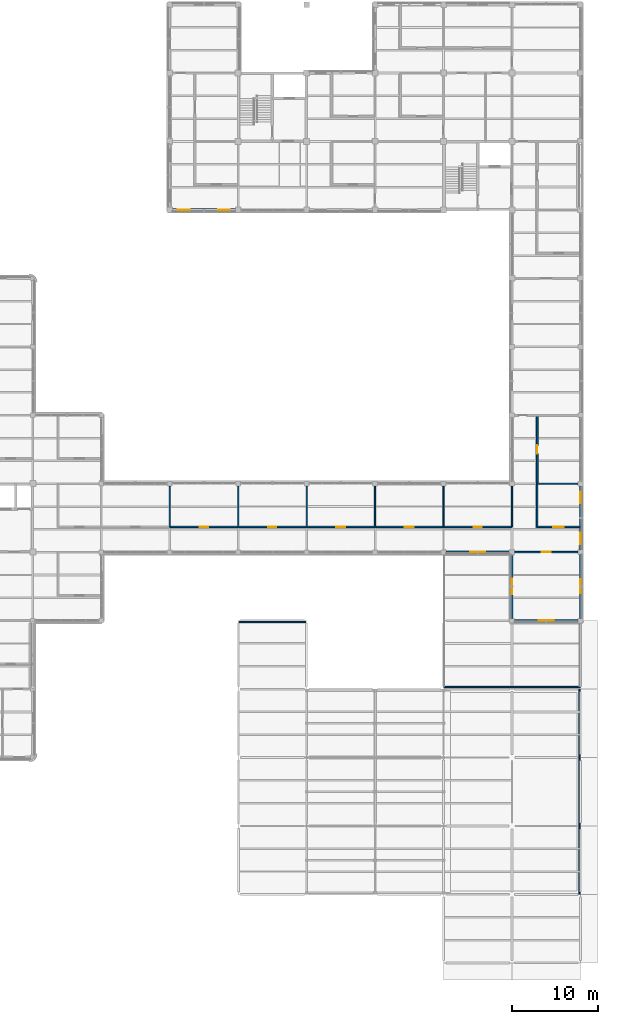
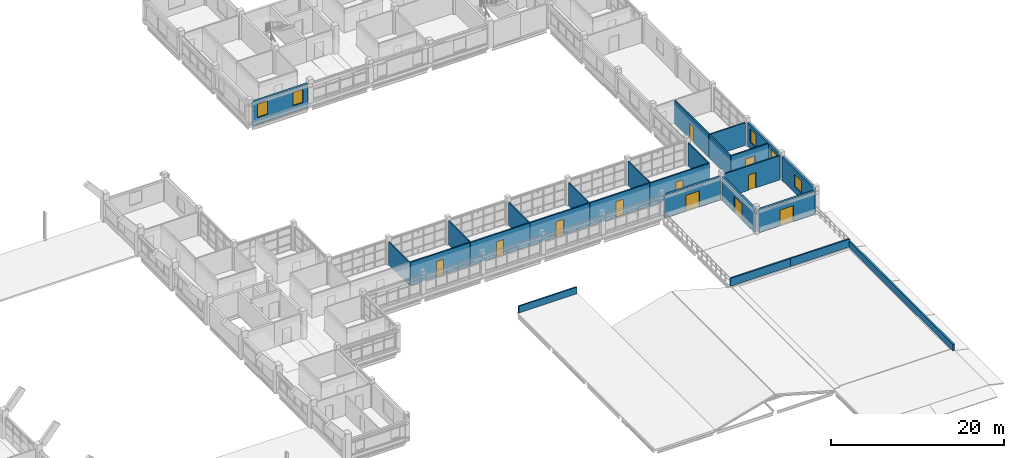
# One storey, part 72 of 92: 26 walls, 11 doors, 5 windows, 16 openings.
"""IFC4 building model written with IfcOpenShell, lengths in metres."""

import ifcopenshell
import ifcopenshell.guid

model = None  # the IFC model being written
_history = None  # IfcOwnerHistory: only IFC2X3 demands one
_inside = {}  # id of a spatial element -> (the spatial element, [elements in it])
_under = {}  # id of a project, library or spatial element -> (it, [spatial elements below it])
_declared = {}  # id of a project -> (the project, [libraries it declares])
_typed = {}  # id of a type object -> (the type object, [elements of that type])
_made_of = {}  # id of a material, layer set ... -> (it, [elements and type objects made of it])


def new_model(schema):
    """Start an empty IFC model of exactly this schema.

    Asked for "IFC4X3", IfcOpenShell would pick the latest addendum, in which some entities
    have other attributes; the version numbers below select the first issue.
    IFC2X3 requires an IfcOwnerHistory on every rooted entity: one is made here for all.
    """
    global model, _history
    if schema == "IFC4X3":
        model = ifcopenshell.file(schema_version=(4, 3, 0, 0))
    else:
        model = ifcopenshell.file(schema=schema)
    _inside.clear()
    _under.clear()
    _declared.clear()
    _typed.clear()
    _made_of.clear()
    _history = None
    if model.schema == "IFC2X3":
        org = make("IfcOrganization", Name="unknown")
        user = make(
            "IfcPersonAndOrganization",
            ThePerson=make("IfcPerson", FamilyName="unknown"),
            TheOrganization=org,
        )
        app = make(
            "IfcApplication",
            ApplicationDeveloper=org,
            Version="unknown",
            ApplicationFullName="unknown",
            ApplicationIdentifier="unknown",
        )
        _history = make(
            "IfcOwnerHistory",
            OwningUser=user,
            OwningApplication=app,
            ChangeAction="ADDED",
            CreationDate=0,
        )
    return model


def make(cls, **values):
    """One entity of the class cls with the attributes given. An attribute that is None is left unset."""
    return model.create_entity(
        cls, **{name: value for name, value in values.items() if value is not None}
    )


def rooted(cls, **values):
    """An entity with a GlobalId (a new one), such as an element, a storey or a relation."""
    return make(cls, GlobalId=ifcopenshell.guid.new(), OwnerHistory=_history, **values)


def si_unit(unit_type, name, prefix=None):
    """IfcSIUnit, for example si_unit("LENGTHUNIT", "METRE", prefix="MILLI")."""
    return make("IfcSIUnit", UnitType=unit_type, Prefix=prefix, Name=name)


def derived_unit(unit_type, elements):
    """IfcDerivedUnit: a product of units, each with its exponent."""
    return make(
        "IfcDerivedUnit",
        Elements=[
            make("IfcDerivedUnitElement", Unit=unit, Exponent=power)
            for unit, power in elements
        ],
        UnitType=unit_type,
    )


def assignment(units):
    """IfcUnitAssignment: the units of a project."""
    return None if units is None else make("IfcUnitAssignment", Units=units)


def point(xyz):
    """IfcCartesianPoint."""
    return None if xyz is None else make("IfcCartesianPoint", Coordinates=xyz)


def direction(xyz):
    """IfcDirection."""
    return None if xyz is None else make("IfcDirection", DirectionRatios=xyz)


def frame(location, z_axis=None, x_axis=None):
    """IfcAxis2Placement3D, a coordinate frame: its origin and axes. An axis left out is left unset."""
    return make(
        "IfcAxis2Placement3D",
        Location=point(location),
        Axis=direction(z_axis),
        RefDirection=direction(x_axis),
    )


def frame_2d(location, x_axis=None):
    """IfcAxis2Placement2D, a coordinate frame in the plane: its origin and x axis."""
    return make(
        "IfcAxis2Placement2D", Location=point(location), RefDirection=direction(x_axis)
    )


def origin():
    """The frame at (0, 0, 0) with its axes left unset."""
    return frame((0.0, 0.0, 0.0))


def place(relative_to, where):
    """IfcLocalPlacement: puts the frame where relative to a parent placement (None: the world)."""
    return make(
        "IfcLocalPlacement", PlacementRelTo=relative_to, RelativePlacement=where
    )


def context(
    kind, dimensions, precision=None, world=None, true_north=None, identifier=None
):
    """IfcGeometricRepresentationContext, for example the 3D "Model" context."""
    return make(
        "IfcGeometricRepresentationContext",
        ContextIdentifier=identifier,
        ContextType=kind,
        CoordinateSpaceDimension=dimensions,
        Precision=precision,
        WorldCoordinateSystem=world,
        TrueNorth=true_north,
    )


def subcontext(parent, identifier, kind, view, scale=None):
    """IfcGeometricRepresentationSubContext, for example "Body" below "Model"."""
    return make(
        "IfcGeometricRepresentationSubContext",
        ContextIdentifier=identifier,
        ContextType=kind,
        ParentContext=parent,
        TargetScale=scale,
        TargetView=view,
    )


def project(units=None, contexts=None):
    """IfcProject with its units and contexts."""
    return rooted(
        "IfcProject",
        Name="project",
        RepresentationContexts=contexts,
        UnitsInContext=assignment(units),
    )


def spatial(cls, under=None, at=None, **own):
    """A site, building, storey or space (cls), placed at a placement, below another one or the project."""
    s = rooted(cls, ObjectPlacement=at, **own)
    if under is not None:
        _under.setdefault(under.id(), (under, []))[1].append(s)
    return s


def profile(cls, at=None, kind="AREA", **sizes):
    """A parametric profile (cls). Its sizes go by their IFC names, for example OverallWidth=200.0."""
    return make(cls, ProfileType=kind, Position=at, **sizes)


def rectangle(**sizes):
    """IfcRectangleProfileDef."""
    return profile("IfcRectangleProfileDef", **sizes)


def extrude(swept, where, along, depth):
    """IfcExtrudedAreaSolid: the profile swept, set in the frame where, extruded along a direction by depth."""
    return make(
        "IfcExtrudedAreaSolid",
        SweptArea=swept,
        Position=where,
        ExtrudedDirection=direction(along),
        Depth=depth,
    )


def shape(context_of_items, identifier, shape_type, items):
    """IfcShapeRepresentation: the items that make up one representation, for example the "Body"."""
    return make(
        "IfcShapeRepresentation",
        ContextOfItems=context_of_items,
        RepresentationIdentifier=identifier,
        RepresentationType=shape_type,
        Items=items,
    )


def material(Name=None, Category=None):
    """IfcMaterial."""
    return make("IfcMaterial", Name=Name, Category=Category)


def layer(
    of_material, thickness, ventilated=None, Name=None, Category=None, Priority=None
):
    """IfcMaterialLayer: one layer of a wall or slab, of a material (None: an air gap)."""
    return make(
        "IfcMaterialLayer",
        Material=of_material,
        LayerThickness=thickness,
        IsVentilated=ventilated,
        Name=Name,
        Category=Category,
        Priority=Priority,
    )


def layer_set(layers, Name=None):
    """IfcMaterialLayerSet."""
    return make("IfcMaterialLayerSet", MaterialLayers=layers, LayerSetName=Name)


def made_of(thing, what):
    """Note that an element or type object is made of a material, layer set ...; save() writes the relation."""
    if what is not None:
        _made_of.setdefault(what.id(), (what, []))[1].append(thing)
    return thing


def type_object(cls, material=None, **own):
    """A type object (cls), such as IfcWallType, which elements share."""
    return made_of(rooted(cls, **own), material)


def element(
    cls,
    number,
    at=None,
    inside=None,
    cuts=None,
    type_object=None,
    material=None,
    context=None,
    identifier="Body",
    shape_type=None,
    held_by="IfcProductDefinitionShape",
    body=None,
    shapes=None,
    **own,
):
    """One element of the class cls, such as IfcWall. Its Tag is "e" and its number.

    at: its placement. inside: the storey or other place that contains it. cuts: it is an
    opening in that element (IfcRelVoidsElement). A single representation is given by context,
    identifier, shape_type and body (its items); several are given by shapes. held_by: the class
    of the entity that holds the representations. save() writes the other relations.
    """
    e = rooted(cls, Tag="e%d" % number, ObjectPlacement=at, **own)
    if body is not None:
        shapes = [shape(context, identifier, shape_type, body)]
    if shapes is not None:
        e.Representation = make(held_by, Representations=shapes)
    if inside is not None:
        _inside.setdefault(inside.id(), (inside, []))[1].append(e)
    if cuts is not None:
        rooted(
            "IfcRelVoidsElement", RelatingBuildingElement=cuts, RelatedOpeningElement=e
        )
    if type_object is not None:
        _typed.setdefault(type_object.id(), (type_object, []))[1].append(e)
    return made_of(e, material)


def fill(opening, filler):
    """IfcRelFillsElement: the door or window that sits in an opening."""
    return rooted(
        "IfcRelFillsElement",
        RelatingOpeningElement=opening,
        RelatedBuildingElement=filler,
    )


def aggregate(whole, parts):
    """IfcRelAggregates: a whole, such as a stair, and the parts it consists of."""
    return rooted("IfcRelAggregates", RelatingObject=whole, RelatedObjects=parts)


def save(model, path):
    """Write the relations noted so far, then the file.

    IfcRelAggregates (storeys below a building ...), IfcRelContainedInSpatialStructure (elements
    in a storey), IfcRelDefinesByType, IfcRelAssociatesMaterial and IfcRelDeclares: one each for
    every whole, place, type object, material and project.
    """
    for whole, parts in _under.values():
        aggregate(whole, parts)
    for where, things in _inside.values():
        rooted(
            "IfcRelContainedInSpatialStructure",
            RelatedElements=things,
            RelatingStructure=where,
        )
    for kind, things in _typed.values():
        rooted("IfcRelDefinesByType", RelatedObjects=things, RelatingType=kind)
    for what, things in _made_of.values():
        rooted("IfcRelAssociatesMaterial", RelatedObjects=things, RelatingMaterial=what)
    for by, libraries in _declared.values():
        rooted("IfcRelDeclares", RelatingContext=by, RelatedDefinitions=libraries)
    model.write(path)


model = new_model("IFC4")

# Units and contexts
model_context = context("Model", 3, precision=1e-05, world=origin(), true_north=direction((0.0, 1.0)))
body_context = subcontext(model_context, "Body", "Model", "MODEL_VIEW")
ifc_project = project(units=[si_unit("LENGTHUNIT", "METRE"), si_unit("AREAUNIT", "SQUARE_METRE"), si_unit("VOLUMEUNIT", "CUBIC_METRE"), si_unit("PLANEANGLEUNIT", "RADIAN"), si_unit("MASSUNIT", "GRAM", prefix="KILO"), derived_unit("THERMALTRANSMITTANCEUNIT", [(si_unit("MASSUNIT", "GRAM", prefix="KILO"), 1), (si_unit("TIMEUNIT", "SECOND"), -3), (si_unit("THERMODYNAMICTEMPERATUREUNIT", "KELVIN"), -1)])], contexts=[model_context])

# Site, building, storey
site_placement = place(None, origin())
site = spatial("IfcSite", under=ifc_project, at=site_placement, CompositionType="ELEMENT")
building_placement = place(site_placement, origin())
building = spatial("IfcBuilding", under=site, at=building_placement, Name="Veyamyaing Civic Hall", CompositionType="ELEMENT")
storey_placement = place(building_placement, frame((0.0, 0.0, 17.820068359375)))
storey = spatial("IfcBuildingStorey", under=building, at=storey_placement, Name="L04", CompositionType="ELEMENT", Elevation=17.820068359375)

# Wall, openings, windows
ifc_material_1 = material(Name="Precast concrete C40/50", Category="concrete")
ifc_layer_1 = layer(ifc_material_1, 0.280029296875, Name="Precast concrete C40/50")
ifc_layer_set_1 = layer_set([ifc_layer_1], Name="Precast concrete C40/50")
wall_type_1 = type_object("IfcWallType", Name="WT-04", PredefinedType="SOLIDWALL", material=ifc_layer_set_1)
wall_1_placement = place(storey_placement, frame((128.31005859375, 88.0, 0.0), z_axis=(0.0, 0.0, 1.0), x_axis=(1.0, 0.0, 0.0)))
wall_1 = element("IfcWall", 1, at=wall_1_placement, inside=storey, type_object=wall_type_1, Name="Exterior facade wall WT-04 L04 S 17.12", PredefinedType="SOLIDWALL", context=body_context, shape_type="SweptSolid", body=[
    extrude(rectangle(XDim=7.3798828125, YDim=0.280029296875, at=frame_2d((3.68994140625, 0.0))), origin(), (0.0, 0.0, 1.0), 3.376953125),
])
opening_1_placement = place(wall_1_placement, frame((0.6533203125, 0.0, 0.949951171875)))
opening_1 = element("IfcOpeningElement", 2, at=opening_1_placement, cuts=wall_1, Name="Opening W-13", PredefinedType="OPENING", context=body_context, shape_type="SweptSolid", body=[
    extrude(rectangle(XDim=1.35009765625, YDim=1.89990234375, at=frame_2d((0.675048828125, 0.949951171875))), frame((0.0, 0.14990234375, 0.0), z_axis=(0.0, -1.0, 0.0), x_axis=(1.0, 0.0, 0.0)), (0.0, 0.0, 1.0), 0.300048828125),
])
opening_2_placement = place(wall_1_placement, frame((5.376708984375, 0.0, 0.949951171875)))
opening_2 = element("IfcOpeningElement", 3, at=opening_2_placement, cuts=wall_1, Name="Opening W-13", PredefinedType="OPENING", context=body_context, shape_type="SweptSolid", body=[
    extrude(rectangle(XDim=1.35009765625, YDim=1.89990234375, at=frame_2d((0.675048828125, 0.949951171875))), frame((0.0, 0.14990234375, 0.0), z_axis=(0.0, -1.0, 0.0), x_axis=(1.0, 0.0, 0.0)), (0.0, 0.0, 1.0), 0.300048828125),
])
ifc_material_2 = material(Name="Low-E insulated glass", Category="glass")
window_type_1 = type_object("IfcWindowType", Name="W-13", PartitioningType="SINGLE_PANEL", PredefinedType="WINDOW", material=ifc_material_2)
window_1_placement = place(opening_1_placement, origin())
window_1 = element("IfcWindow", 4, at=window_1_placement, inside=storey, type_object=window_type_1, Name="Facade window W-13 L04 S 17.12.1", OverallHeight=1.89990234375, OverallWidth=1.35009765625, PartitioningType="SINGLE_PANEL", PredefinedType="WINDOW", context=body_context, shape_type="SweptSolid", body=[
    extrude(rectangle(XDim=1.35009765625, YDim=1.89990234375, at=frame_2d((0.675048828125, 0.949951171875))), frame((0.0, 0.030029296875, 0.0), z_axis=(0.0, -1.0, 0.0), x_axis=(1.0, 0.0, 0.0)), (0.0, 0.0, 1.0), 0.06005859375),
])
fill(opening_1, window_1)
window_2_placement = place(opening_2_placement, origin())
window_2 = element("IfcWindow", 5, at=window_2_placement, inside=storey, type_object=window_type_1, Name="Facade window W-13 L04 S 17.12.2", OverallHeight=1.89990234375, OverallWidth=1.35009765625, PartitioningType="SINGLE_PANEL", PredefinedType="WINDOW", context=body_context, shape_type="SweptSolid", body=[
    extrude(rectangle(XDim=1.35009765625, YDim=1.89990234375, at=frame_2d((0.675048828125, 0.949951171875))), frame((0.0, 0.030029296875, 0.0), z_axis=(0.0, -1.0, 0.0), x_axis=(1.0, 0.0, 0.0)), (0.0, 0.0, 1.0), 0.06005859375),
])
fill(opening_2, window_2)

# Wall, opening, door
wall_2_placement = place(storey_placement, frame((160.260009765625, 48.0, 0.0), z_axis=(0.0, 0.0, 1.0), x_axis=(1.0, 0.0, 0.0)))
wall_2 = element("IfcWall", 6, at=wall_2_placement, inside=storey, type_object=wall_type_1, Name="Exterior facade wall WT-04 L04 S 21.7", PredefinedType="SOLIDWALL", context=body_context, shape_type="SweptSolid", body=[
    extrude(rectangle(XDim=7.47998046875, YDim=0.280029296875, at=frame_2d((3.739990234375, 0.0))), origin(), (0.0, 0.0, 1.0), 3.288818359375),
])
opening_3_placement = place(wall_2_placement, frame((2.840087890625, 0.0, 0.0)))
opening_3 = element("IfcOpeningElement", 7, at=opening_3_placement, cuts=wall_2, Name="Opening D-05", PredefinedType="OPENING", context=body_context, shape_type="SweptSolid", body=[
    extrude(rectangle(XDim=1.800048828125, YDim=2.25, at=frame_2d((0.89990234375, 1.125))), frame((0.0, 0.14990234375, 0.0), z_axis=(0.0, -1.0, 0.0), x_axis=(1.0, 0.0, 0.0)), (0.0, 0.0, 1.0), 0.300048828125),
])
ifc_material_3 = material(Name="Anodised aluminium 6063-T6", Category="aluminium")
door_type_1 = type_object("IfcDoorType", Name="D-05", OperationType="DOUBLE_DOOR_SINGLE_SWING", PredefinedType="DOOR", material=ifc_material_3)
door_1_placement = place(opening_3_placement, frame((1.800048828125, 0.0, 0.0), z_axis=(0.0, 0.0, 1.0), x_axis=(-1.0, 0.0, 0.0)))
door_1 = element("IfcDoor", 8, at=door_1_placement, inside=storey, type_object=door_type_1, Name="Planted roof terrace door D-05 L04 S 21.7", OperationType="DOUBLE_DOOR_SINGLE_SWING", OverallHeight=2.25, OverallWidth=1.800048828125, PredefinedType="DOOR", context=body_context, shape_type="SweptSolid", body=[
    extrude(rectangle(XDim=1.800048828125, YDim=2.25, at=frame_2d((0.89990234375, 1.125))), frame((0.0, 0.02490234375, 0.0), z_axis=(0.0, -1.0, 0.0), x_axis=(1.0, 0.0, 0.0)), (0.0, 0.0, 1.0), 0.050048828125),
])
fill(opening_3, door_1)

wall_3_placement = place(storey_placement, frame((168.260009765625, 40.0, 0.0), z_axis=(0.0, 0.0, 1.0), x_axis=(1.0, 0.0, 0.0)))
wall_3 = element("IfcWall", 9, at=wall_3_placement, inside=storey, type_object=wall_type_1, Name="Exterior facade wall WT-04 L04 S 22.6", PredefinedType="SOLIDWALL", context=body_context, shape_type="SweptSolid", body=[
    extrude(rectangle(XDim=7.47998046875, YDim=0.280029296875, at=frame_2d((3.739990234375, 0.0))), origin(), (0.0, 0.0, 1.0), 3.288818359375),
])
opening_4_placement = place(wall_3_placement, frame((2.840087890625, 0.0, 0.0)))
opening_4 = element("IfcOpeningElement", 10, at=opening_4_placement, cuts=wall_3, Name="Opening D-05", PredefinedType="OPENING", context=body_context, shape_type="SweptSolid", body=[
    extrude(rectangle(XDim=1.800048828125, YDim=2.25, at=frame_2d((0.89990234375, 1.125))), frame((0.0, 0.14990234375, 0.0), z_axis=(0.0, -1.0, 0.0), x_axis=(1.0, 0.0, 0.0)), (0.0, 0.0, 1.0), 0.300048828125),
])
door_2_placement = place(opening_4_placement, frame((1.800048828125, 0.0, 0.0), z_axis=(0.0, 0.0, 1.0), x_axis=(-1.0, 0.0, 0.0)))
door_2 = element("IfcDoor", 11, at=door_2_placement, inside=storey, type_object=door_type_1, Name="Planted roof terrace door D-05 L04 S 22.6", OperationType="DOUBLE_DOOR_SINGLE_SWING", OverallHeight=2.25, OverallWidth=1.800048828125, PredefinedType="DOOR", context=body_context, shape_type="SweptSolid", body=[
    extrude(rectangle(XDim=1.800048828125, YDim=2.25, at=frame_2d((0.89990234375, 1.125))), frame((0.0, 0.02490234375, 0.0), z_axis=(0.0, -1.0, 0.0), x_axis=(1.0, 0.0, 0.0)), (0.0, 0.0, 1.0), 0.050048828125),
])
fill(opening_4, door_2)

wall_4_placement = place(storey_placement, frame((168.0, 40.260009765625, 0.0), z_axis=(0.0, 0.0, 1.0), x_axis=(0.0, 1.0, 0.0)))
wall_4 = element("IfcWall", 12, at=wall_4_placement, inside=storey, type_object=wall_type_1, Name="Exterior facade wall WT-04 L04 W 22.6", PredefinedType="SOLIDWALL", context=body_context, shape_type="SweptSolid", body=[
    extrude(rectangle(XDim=7.47998046875, YDim=0.280029296875, at=frame_2d((3.739990234375, 0.0))), origin(), (0.0, 0.0, 1.0), 3.288818359375),
])
opening_5_placement = place(wall_4_placement, frame((2.840087890625, 0.0, 0.0)))
opening_5 = element("IfcOpeningElement", 13, at=opening_5_placement, cuts=wall_4, Name="Opening D-05", PredefinedType="OPENING", context=body_context, shape_type="SweptSolid", body=[
    extrude(rectangle(XDim=1.800048828125, YDim=2.25, at=frame_2d((0.89990234375, 1.125))), frame((0.0, 0.14990234375, 0.0), z_axis=(0.0, -1.0, 0.0), x_axis=(1.0, 0.0, 0.0)), (0.0, 0.0, 1.0), 0.300048828125),
])
door_3_placement = place(opening_5_placement, origin())
door_3 = element("IfcDoor", 14, at=door_3_placement, inside=storey, type_object=door_type_1, Name="Planted roof terrace door D-05 L04 W 22.6", OperationType="DOUBLE_DOOR_SINGLE_SWING", OverallHeight=2.25, OverallWidth=1.800048828125, PredefinedType="DOOR", context=body_context, shape_type="SweptSolid", body=[
    extrude(rectangle(XDim=1.800048828125, YDim=2.25, at=frame_2d((0.89990234375, 1.125))), frame((0.0, 0.02490234375, 0.0), z_axis=(0.0, -1.0, 0.0), x_axis=(1.0, 0.0, 0.0)), (0.0, 0.0, 1.0), 0.050048828125),
])
fill(opening_5, door_3)

# Wall, opening, window
wall_5_placement = place(storey_placement, frame((176.0, 40.260009765625, 0.0), z_axis=(0.0, 0.0, 1.0), x_axis=(0.0, 1.0, 0.0)))
wall_5 = element("IfcWall", 15, at=wall_5_placement, inside=storey, type_object=wall_type_1, Name="Exterior facade wall WT-04 L04 E 22.6", PredefinedType="SOLIDWALL", context=body_context, shape_type="SweptSolid", body=[
    extrude(rectangle(XDim=7.47998046875, YDim=0.280029296875, at=frame_2d((3.739990234375, 0.0))), origin(), (0.0, 0.0, 1.0), 3.35205078125),
])
opening_6_placement = place(wall_5_placement, frame((2.9150390625, 0.0, 0.89990234375)))
opening_6 = element("IfcOpeningElement", 16, at=opening_6_placement, cuts=wall_5, Name="Opening W-24", PredefinedType="OPENING", context=body_context, shape_type="SweptSolid", body=[
    extrude(rectangle(XDim=1.64990234375, YDim=1.75, at=frame_2d((0.824951171875, 0.875))), frame((0.0, 0.14990234375, 0.0), z_axis=(0.0, -1.0, 0.0), x_axis=(1.0, 0.0, 0.0)), (0.0, 0.0, 1.0), 0.300048828125),
])
window_type_2 = type_object("IfcWindowType", Name="W-24", PartitioningType="SINGLE_PANEL", PredefinedType="WINDOW", material=ifc_material_2)
window_3_placement = place(opening_6_placement, origin())
window_3 = element("IfcWindow", 17, at=window_3_placement, inside=storey, type_object=window_type_2, Name="Facade window W-24 L04 E 22.6", OverallHeight=1.75, OverallWidth=1.64990234375, PartitioningType="SINGLE_PANEL", PredefinedType="WINDOW", context=body_context, shape_type="SweptSolid", body=[
    extrude(rectangle(XDim=1.64990234375, YDim=1.75, at=frame_2d((0.824951171875, 0.875))), frame((0.0, 0.030029296875, 0.0), z_axis=(0.0, -1.0, 0.0), x_axis=(1.0, 0.0, 0.0)), (0.0, 0.0, 1.0), 0.06005859375),
])
fill(opening_6, window_3)

# Wall, openings, windows
wall_6_placement = place(storey_placement, frame((176.0, 48.260009765625, 0.0), z_axis=(0.0, 0.0, 1.0), x_axis=(0.0, 1.0, 0.0)))
wall_6 = element("IfcWall", 18, at=wall_6_placement, inside=storey, type_object=wall_type_1, Name="Exterior facade wall WT-04 L04 E 22.7", PredefinedType="SOLIDWALL", context=body_context, shape_type="SweptSolid", body=[
    extrude(rectangle(XDim=7.47998046875, YDim=0.280029296875, at=frame_2d((3.739990234375, 0.0))), origin(), (0.0, 0.0, 1.0), 3.284912109375),
])
opening_7_placement = place(wall_6_placement, frame((0.67138671875, 0.0, 0.949951171875)))
opening_7 = element("IfcOpeningElement", 19, at=opening_7_placement, cuts=wall_6, Name="Opening W-13", PredefinedType="OPENING", context=body_context, shape_type="SweptSolid", body=[
    extrude(rectangle(XDim=1.35009765625, YDim=1.89990234375, at=frame_2d((0.675048828125, 0.949951171875))), frame((0.0, 0.14990234375, 0.0), z_axis=(0.0, -1.0, 0.0), x_axis=(1.0, 0.0, 0.0)), (0.0, 0.0, 1.0), 0.300048828125),
])
opening_8_placement = place(wall_6_placement, frame((5.45849609375, 0.0, 0.949951171875)))
opening_8 = element("IfcOpeningElement", 20, at=opening_8_placement, cuts=wall_6, Name="Opening W-13", PredefinedType="OPENING", context=body_context, shape_type="SweptSolid", body=[
    extrude(rectangle(XDim=1.35009765625, YDim=1.89990234375, at=frame_2d((0.675048828125, 0.949951171875))), frame((0.0, 0.14990234375, 0.0), z_axis=(0.0, -1.0, 0.0), x_axis=(1.0, 0.0, 0.0)), (0.0, 0.0, 1.0), 0.300048828125),
])
window_4_placement = place(opening_7_placement, origin())
window_4 = element("IfcWindow", 21, at=window_4_placement, inside=storey, type_object=window_type_1, Name="Facade window W-13 L04 E 22.7.1", OverallHeight=1.89990234375, OverallWidth=1.35009765625, PartitioningType="SINGLE_PANEL", PredefinedType="WINDOW", context=body_context, shape_type="SweptSolid", body=[
    extrude(rectangle(XDim=1.35009765625, YDim=1.89990234375, at=frame_2d((0.675048828125, 0.949951171875))), frame((0.0, 0.030029296875, 0.0), z_axis=(0.0, -1.0, 0.0), x_axis=(1.0, 0.0, 0.0)), (0.0, 0.0, 1.0), 0.06005859375),
])
fill(opening_7, window_4)
window_5_placement = place(opening_8_placement, origin())
window_5 = element("IfcWindow", 22, at=window_5_placement, inside=storey, type_object=window_type_1, Name="Facade window W-13 L04 E 22.7.2", OverallHeight=1.89990234375, OverallWidth=1.35009765625, PartitioningType="SINGLE_PANEL", PredefinedType="WINDOW", context=body_context, shape_type="SweptSolid", body=[
    extrude(rectangle(XDim=1.35009765625, YDim=1.89990234375, at=frame_2d((0.675048828125, 0.949951171875))), frame((0.0, 0.030029296875, 0.0), z_axis=(0.0, -1.0, 0.0), x_axis=(1.0, 0.0, 0.0)), (0.0, 0.0, 1.0), 0.06005859375),
])
fill(opening_8, window_5)

# Wall, opening, door
ifc_material_4 = material(Name="Gypsum board on acoustic steel stud", Category="steel")
ifc_layer_2 = layer(ifc_material_4, 0.175048828125, Name="Gypsum board on acoustic steel stud")
ifc_layer_set_2 = layer_set([ifc_layer_2], Name="Gypsum board on acoustic steel stud")
wall_type_2 = type_object("IfcWallType", Name="WT-07", PredefinedType="PARTITIONING", material=ifc_layer_set_2)
wall_7_placement = place(storey_placement, frame((128.02001953125, 50.949951171875, 0.0), z_axis=(0.0, 0.0, 1.0), x_axis=(1.0, 0.0, 0.0)))
wall_7 = element("IfcWall", 23, at=wall_7_placement, inside=storey, type_object=wall_type_2, Name="Corridor gallery partition WT-07 L04.31.1", PredefinedType="PARTITIONING", context=body_context, shape_type="SweptSolid", body=[
    extrude(rectangle(XDim=7.9599609375, YDim=0.175048828125, at=frame_2d((3.97998046875, 0.0))), origin(), (0.0, 0.0, 1.0), 3.238037109375),
])
opening_9_placement = place(wall_7_placement, frame((3.5, 0.0, 0.0)))
opening_9 = element("IfcOpeningElement", 24, at=opening_9_placement, cuts=wall_7, Name="Opening D-25", PredefinedType="OPENING", context=body_context, shape_type="SweptSolid", body=[
    extrude(rectangle(XDim=0.9599609375, YDim=2.139892578125, at=frame_2d((0.47998046875, 1.06982421875))), frame((0.0, 0.097412109375, 0.0), z_axis=(0.0, -1.0, 0.0), x_axis=(1.0, 0.0, 0.0)), (0.0, 0.0, 1.0), 0.195068359375),
])
ifc_material_5 = material(Name="Teak-veneered acoustic timber", Category="wood")
door_type_2 = type_object("IfcDoorType", Name="D-25", OperationType="NOTDEFINED", PredefinedType="DOOR", material=ifc_material_5)
door_4_placement = place(opening_9_placement, origin())
door_4 = element("IfcDoor", 25, at=door_4_placement, inside=storey, type_object=door_type_2, Name="Gallery office door D-25 L04.31", OperationType="SINGLE_SWING_RIGHT", OverallHeight=2.139892578125, OverallWidth=0.9599609375, PredefinedType="DOOR", context=body_context, shape_type="SweptSolid", body=[
    extrude(rectangle(XDim=0.9599609375, YDim=2.139892578125, at=frame_2d((0.47998046875, 1.06982421875))), frame((0.0, 0.02490234375, 0.0), z_axis=(0.0, -1.0, 0.0), x_axis=(1.0, 0.0, 0.0)), (0.0, 0.0, 1.0), 0.050048828125),
])
fill(opening_9, door_4)

wall_8_placement = place(storey_placement, frame((144.02001953125, 50.949951171875, 0.0), z_axis=(0.0, 0.0, 1.0), x_axis=(1.0, 0.0, 0.0)))
wall_8 = element("IfcWall", 26, at=wall_8_placement, inside=storey, type_object=wall_type_2, Name="Corridor gallery partition WT-07 L04.35.1", PredefinedType="PARTITIONING", context=body_context, shape_type="SweptSolid", body=[
    extrude(rectangle(XDim=7.9599609375, YDim=0.175048828125, at=frame_2d((3.97998046875, 0.0))), origin(), (0.0, 0.0, 1.0), 3.23193359375),
])
opening_10_placement = place(wall_8_placement, frame((3.455078125, 0.0, 0.0)))
opening_10 = element("IfcOpeningElement", 27, at=opening_10_placement, cuts=wall_8, Name="Opening D-12", PredefinedType="OPENING", context=body_context, shape_type="SweptSolid", body=[
    extrude(rectangle(XDim=1.050048828125, YDim=2.14990234375, at=frame_2d((0.52490234375, 1.074951171875))), frame((0.0, 0.097412109375, 0.0), z_axis=(0.0, -1.0, 0.0), x_axis=(1.0, 0.0, 0.0)), (0.0, 0.0, 1.0), 0.195068359375),
])
door_type_3 = type_object("IfcDoorType", Name="D-12", OperationType="NOTDEFINED", PredefinedType="DOOR", material=ifc_material_5)
door_5_placement = place(opening_10_placement, origin())
door_5 = element("IfcDoor", 28, at=door_5_placement, inside=storey, type_object=door_type_3, Name="Gallery office door D-12 L04.35", OperationType="SINGLE_SWING_RIGHT", OverallHeight=2.14990234375, OverallWidth=1.050048828125, PredefinedType="DOOR", context=body_context, shape_type="SweptSolid", body=[
    extrude(rectangle(XDim=1.050048828125, YDim=2.14990234375, at=frame_2d((0.52490234375, 1.074951171875))), frame((0.0, 0.02490234375, 0.0), z_axis=(0.0, -1.0, 0.0), x_axis=(1.0, 0.0, 0.0)), (0.0, 0.0, 1.0), 0.050048828125),
])
fill(opening_10, door_5)

wall_9_placement = place(storey_placement, frame((160.02001953125, 50.949951171875, 0.0), z_axis=(0.0, 0.0, 1.0), x_axis=(1.0, 0.0, 0.0)))
wall_9 = element("IfcWall", 29, at=wall_9_placement, inside=storey, type_object=wall_type_2, Name="Corridor gallery partition WT-07 L04.41.1", PredefinedType="PARTITIONING", context=body_context, shape_type="SweptSolid", body=[
    extrude(rectangle(XDim=7.9599609375, YDim=0.175048828125, at=frame_2d((3.97998046875, 0.0))), origin(), (0.0, 0.0, 1.0), 3.23193359375),
])
opening_11_placement = place(wall_9_placement, frame((3.5, 0.0, 0.0)))
opening_11 = element("IfcOpeningElement", 30, at=opening_11_placement, cuts=wall_9, Name="Opening D-25", PredefinedType="OPENING", context=body_context, shape_type="SweptSolid", body=[
    extrude(rectangle(XDim=0.9599609375, YDim=2.139892578125, at=frame_2d((0.47998046875, 1.06982421875))), frame((0.0, 0.097412109375, 0.0), z_axis=(0.0, -1.0, 0.0), x_axis=(1.0, 0.0, 0.0)), (0.0, 0.0, 1.0), 0.195068359375),
])
door_6_placement = place(opening_11_placement, origin())
door_6 = element("IfcDoor", 31, at=door_6_placement, inside=storey, type_object=door_type_2, Name="Gallery office door D-25 L04.41", OperationType="SINGLE_SWING_RIGHT", OverallHeight=2.139892578125, OverallWidth=0.9599609375, PredefinedType="DOOR", context=body_context, shape_type="SweptSolid", body=[
    extrude(rectangle(XDim=0.9599609375, YDim=2.139892578125, at=frame_2d((0.47998046875, 1.06982421875))), frame((0.0, 0.02490234375, 0.0), z_axis=(0.0, -1.0, 0.0), x_axis=(1.0, 0.0, 0.0)), (0.0, 0.0, 1.0), 0.050048828125),
])
fill(opening_11, door_6)

wall_10_placement = place(storey_placement, frame((170.89990234375, 50.949951171875, 0.0), z_axis=(0.0, 0.0, 1.0), x_axis=(1.0, 0.0, 0.0)))
wall_10 = element("IfcWall", 32, at=wall_10_placement, inside=storey, type_object=wall_type_2, Name="Corridor gallery partition WT-07 L04.43.1", PredefinedType="PARTITIONING", context=body_context, shape_type="SweptSolid", body=[
    extrude(rectangle(XDim=5.080078125, YDim=0.175048828125, at=frame_2d((2.5400390625, 0.0))), origin(), (0.0, 0.0, 1.0), 3.27783203125),
])
opening_12_placement = place(wall_10_placement, frame((1.9150390625, 0.0, 0.0)))
opening_12 = element("IfcOpeningElement", 33, at=opening_12_placement, cuts=wall_10, Name="Opening D-29", PredefinedType="OPENING", context=body_context, shape_type="SweptSolid", body=[
    extrude(rectangle(XDim=1.25, YDim=2.179931640625, at=frame_2d((0.625, 1.08984375))), frame((0.0, 0.097412109375, 0.0), z_axis=(0.0, -1.0, 0.0), x_axis=(1.0, 0.0, 0.0)), (0.0, 0.0, 1.0), 0.195068359375),
])
door_type_4 = type_object("IfcDoorType", Name="D-29", OperationType="NOTDEFINED", PredefinedType="DOOR", material=ifc_material_5)
door_7_placement = place(opening_12_placement, origin())
door_7 = element("IfcDoor", 34, at=door_7_placement, inside=storey, type_object=door_type_4, Name="Gallery office door D-29 L04.43", OperationType="SINGLE_SWING_RIGHT", OverallHeight=2.179931640625, OverallWidth=1.25, PredefinedType="DOOR", context=body_context, shape_type="SweptSolid", body=[
    extrude(rectangle(XDim=1.25, YDim=2.179931640625, at=frame_2d((0.625, 1.08984375))), frame((0.0, 0.02490234375, 0.0), z_axis=(0.0, -1.0, 0.0), x_axis=(1.0, 0.0, 0.0)), (0.0, 0.0, 1.0), 0.050048828125),
])
fill(opening_12, door_7)

# Walls
wall_11_placement = place(storey_placement, frame((170.949951171875, 50.89990234375, 0.0), z_axis=(0.0, 0.0, 1.0), x_axis=(0.0, 1.0, 0.0)))
element("IfcWall", 35, at=wall_11_placement, inside=storey, type_object=wall_type_2, Name="Corridor gallery partition WT-07 L04.43.2", PredefinedType="PARTITIONING", context=body_context, shape_type="SweptSolid", body=[
    extrude(rectangle(XDim=5.080078125, YDim=0.175048828125, at=frame_2d((2.5400390625, 0.0))), origin(), (0.0, 0.0, 1.0), 3.23193359375),
])
ifc_material_6 = material(Name="Gypsum board on steel stud", Category="steel")
ifc_layer_3 = layer(ifc_material_6, 0.14990234375, Name="Gypsum board on steel stud")
ifc_layer_set_3 = layer_set([ifc_layer_3], Name="Gypsum board on steel stud")
wall_type_3 = type_object("IfcWallType", Name="WT-08", PredefinedType="PARTITIONING", material=ifc_layer_set_3)
wall_12_placement = place(storey_placement, frame((128.0, 50.949951171875, 0.0), z_axis=(0.0, 0.0, 1.0), x_axis=(0.0, 1.0, 0.0)))
element("IfcWall", 36, at=wall_12_placement, inside=storey, type_object=wall_type_3, Name="Gallery office end partition WT-08 L04.30.2", PredefinedType="PARTITIONING", context=body_context, shape_type="SweptSolid", body=[
    extrude(rectangle(XDim=4.76513671875, YDim=0.14990234375, at=frame_2d((2.382568359375, 0.0))), origin(), (0.0, 0.0, 1.0), 3.238037109375),
])
wall_13_placement = place(storey_placement, frame((136.0, 50.949951171875, 0.0), z_axis=(0.0, 0.0, 1.0), x_axis=(0.0, 1.0, 0.0)))
element("IfcWall", 37, at=wall_13_placement, inside=storey, type_object=wall_type_3, Name="Gallery office end partition WT-08 L04.31.2", PredefinedType="PARTITIONING", context=body_context, shape_type="SweptSolid", body=[
    extrude(rectangle(XDim=4.76513671875, YDim=0.14990234375, at=frame_2d((2.382568359375, 0.0))), origin(), (0.0, 0.0, 1.0), 3.43701171875),
])
wall_14_placement = place(storey_placement, frame((144.0, 50.949951171875, 0.0), z_axis=(0.0, 0.0, 1.0), x_axis=(0.0, 1.0, 0.0)))
element("IfcWall", 38, at=wall_14_placement, inside=storey, type_object=wall_type_3, Name="Gallery office end partition WT-08 L04.34.2", PredefinedType="PARTITIONING", context=body_context, shape_type="SweptSolid", body=[
    extrude(rectangle(XDim=4.76513671875, YDim=0.14990234375, at=frame_2d((2.382568359375, 0.0))), origin(), (0.0, 0.0, 1.0), 3.23193359375),
])
wall_15_placement = place(storey_placement, frame((152.0, 50.949951171875, 0.0), z_axis=(0.0, 0.0, 1.0), x_axis=(0.0, 1.0, 0.0)))
element("IfcWall", 39, at=wall_15_placement, inside=storey, type_object=wall_type_3, Name="Gallery office end partition WT-08 L04.35.2", PredefinedType="PARTITIONING", context=body_context, shape_type="SweptSolid", body=[
    extrude(rectangle(XDim=4.76513671875, YDim=0.14990234375, at=frame_2d((2.382568359375, 0.0))), origin(), (0.0, 0.0, 1.0), 3.238037109375),
])
wall_16_placement = place(storey_placement, frame((160.0, 50.949951171875, 0.0), z_axis=(0.0, 0.0, 1.0), x_axis=(0.0, 1.0, 0.0)))
element("IfcWall", 40, at=wall_16_placement, inside=storey, type_object=wall_type_3, Name="Gallery office end partition WT-08 L04.38.2", PredefinedType="PARTITIONING", context=body_context, shape_type="SweptSolid", body=[
    extrude(rectangle(XDim=4.76513671875, YDim=0.14990234375, at=frame_2d((2.382568359375, 0.0))), origin(), (0.0, 0.0, 1.0), 3.43701171875),
])
for number, where, z_axis, x_axis, name in (
    (41, (168.0, 50.949951171875, 0.0), (0.0, 0.0, 1.0), (0.0, 1.0, 0.0), "Gallery office end partition WT-08 L04.41.2"),
    (42, (170.949951171875, 56.0, 0.0), (0.0, 0.0, 1.0), (1.0, 0.0, 0.0), "Gallery office end partition WT-08 L04.43.1"),
):
    element("IfcWall", number, at=place(storey_placement, frame(where, z_axis=z_axis, x_axis=x_axis)), inside=storey, type_object=wall_type_3, Name=name, PredefinedType="PARTITIONING", context=body_context, shape_type="SweptSolid", body=[
        extrude(rectangle(XDim=4.76513671875, YDim=0.14990234375, at=frame_2d((2.382568359375, 0.0))), origin(), (0.0, 0.0, 1.0), 3.23193359375),
    ])
ifc_layer_4 = layer(ifc_material_1, 0.215087890625, Name="Precast concrete C40/50")
ifc_layer_set_4 = layer_set([ifc_layer_4], Name="Precast concrete C40/50")
wall_type_4 = type_object("IfcWallType", Name="WT-11", PredefinedType="PARAPET", material=ifc_layer_set_4)
wall_17_placement = place(storey_placement, frame((175.8798828125, 8.0, 0.0), z_axis=(0.0, 0.0, 1.0), x_axis=(0.0, 1.0, 0.0)))
element("IfcWall", 43, at=wall_17_placement, inside=storey, type_object=wall_type_4, Name="Roof parapet WT-11 L04.3", PredefinedType="PARAPET", context=body_context, shape_type="SweptSolid", body=[
    extrude(rectangle(XDim=24.0, YDim=0.215087890625, at=frame_2d((12.0, 0.0))), origin(), (0.0, 0.0, 1.0), 0.949951171875),
])
ifc_layer_5 = layer(ifc_material_1, 0.195068359375, Name="Precast concrete C40/50")
ifc_layer_set_5 = layer_set([ifc_layer_5], Name="Precast concrete C40/50")
wall_type_5 = type_object("IfcWallType", Name="WT-12", PredefinedType="PARAPET", material=ifc_layer_set_5)
for number, where, z_axis, x_axis, name in (
    (44, (160.0400390625, 32.260009765625, 0.0), (0.0, 0.0, 1.0), (1.0, 0.0, 0.0), "Terrace divider parapet WT-12 L04.1"),
    (45, (168.0, 32.260009765625, 0.0), (0.0, 0.0, 1.0), (1.0, 0.0, 0.0), "Terrace divider parapet WT-12 L04.2"),
):
    element("IfcWall", number, at=place(storey_placement, frame(where, z_axis=z_axis, x_axis=x_axis)), inside=storey, type_object=wall_type_5, Name=name, PredefinedType="PARAPET", context=body_context, shape_type="SweptSolid", body=[
        extrude(rectangle(XDim=7.9599609375, YDim=0.195068359375, at=frame_2d((3.97998046875, 0.0))), origin(), (0.0, 0.0, 1.0), 1.119873046875),
    ])
wall_18_placement = place(storey_placement, frame((136.1201171875, 39.85009765625, 0.0), z_axis=(0.0, 0.0, 1.0), x_axis=(1.0, 0.0, 0.0)))
element("IfcWall", 46, at=wall_18_placement, inside=storey, type_object=wall_type_5, Name="Roof parapet WT-12 L04.4", PredefinedType="PARAPET", context=body_context, shape_type="SweptSolid", body=[
    extrude(rectangle(XDim=7.759765625, YDim=0.195068359375, at=frame_2d((3.8798828125, 0.0))), origin(), (0.0, 0.0, 1.0), 0.949951171875),
])

# Wall, opening, door
ifc_material_7 = material(Name="Gypsum board on double acoustic stud")
ifc_layer_6 = layer(ifc_material_7, 0.18505859375, Name="Gypsum board on double acoustic stud")
ifc_layer_set_6 = layer_set([ifc_layer_6], Name="Gypsum board on double acoustic stud")
wall_type_6 = type_object("IfcWallType", Name="WT-19", PredefinedType="PARTITIONING", material=ifc_layer_set_6)
wall_19_placement = place(storey_placement, frame((136.02001953125, 50.949951171875, 0.0), z_axis=(0.0, 0.0, 1.0), x_axis=(1.0, 0.0, 0.0)))
wall_19 = element("IfcWall", 47, at=wall_19_placement, inside=storey, type_object=wall_type_6, Name="Corridor gallery partition WT-19 L04.34.1", PredefinedType="PARTITIONING", context=body_context, shape_type="SweptSolid", body=[
    extrude(rectangle(XDim=7.9599609375, YDim=0.18505859375, at=frame_2d((3.97998046875, 0.0))), origin(), (0.0, 0.0, 1.0), 3.23193359375),
])
opening_13_placement = place(wall_19_placement, frame((3.510009765625, 0.0, 0.0)))
opening_13 = element("IfcOpeningElement", 48, at=opening_13_placement, cuts=wall_19, Name="Opening D-30", PredefinedType="OPENING", context=body_context, shape_type="SweptSolid", body=[
    extrude(rectangle(XDim=0.93994140625, YDim=2.1201171875, at=frame_2d((0.469970703125, 1.06005859375))), frame((0.0, 0.1025390625, 0.0), z_axis=(0.0, -1.0, 0.0), x_axis=(1.0, 0.0, 0.0)), (0.0, 0.0, 1.0), 0.205078125),
])
door_type_5 = type_object("IfcDoorType", Name="D-30", OperationType="NOTDEFINED", PredefinedType="DOOR", material=ifc_material_5)
door_8_placement = place(opening_13_placement, origin())
door_8 = element("IfcDoor", 49, at=door_8_placement, inside=storey, type_object=door_type_5, Name="Gallery office door D-30 L04.34", OperationType="SINGLE_SWING_LEFT", OverallHeight=2.1201171875, OverallWidth=0.93994140625, PredefinedType="DOOR", context=body_context, shape_type="SweptSolid", body=[
    extrude(rectangle(XDim=0.93994140625, YDim=2.1201171875, at=frame_2d((0.469970703125, 1.06005859375))), frame((0.0, 0.02490234375, 0.0), z_axis=(0.0, -1.0, 0.0), x_axis=(1.0, 0.0, 0.0)), (0.0, 0.0, 1.0), 0.050048828125),
])
fill(opening_13, door_8)

wall_20_placement = place(storey_placement, frame((152.02001953125, 50.949951171875, 0.0), z_axis=(0.0, 0.0, 1.0), x_axis=(1.0, 0.0, 0.0)))
wall_20 = element("IfcWall", 50, at=wall_20_placement, inside=storey, type_object=wall_type_6, Name="Corridor gallery partition WT-19 L04.38.1", PredefinedType="PARTITIONING", context=body_context, shape_type="SweptSolid", body=[
    extrude(rectangle(XDim=7.9599609375, YDim=0.18505859375, at=frame_2d((3.97998046875, 0.0))), origin(), (0.0, 0.0, 1.0), 3.238037109375),
])
opening_14_placement = place(wall_20_placement, frame((3.469970703125, 0.0, 0.0)))
opening_14 = element("IfcOpeningElement", 51, at=opening_14_placement, cuts=wall_20, Name="Opening D-19", PredefinedType="OPENING", context=body_context, shape_type="SweptSolid", body=[
    extrude(rectangle(XDim=1.02001953125, YDim=2.199951171875, at=frame_2d((0.510009765625, 1.10009765625))), frame((0.0, 0.1025390625, 0.0), z_axis=(0.0, -1.0, 0.0), x_axis=(1.0, 0.0, 0.0)), (0.0, 0.0, 1.0), 0.205078125),
])
door_type_6 = type_object("IfcDoorType", Name="D-19", OperationType="NOTDEFINED", PredefinedType="DOOR", material=ifc_material_5)
door_9_placement = place(opening_14_placement, origin())
door_9 = element("IfcDoor", 52, at=door_9_placement, inside=storey, type_object=door_type_6, Name="Gallery office door D-19 L04.38", OperationType="SINGLE_SWING_LEFT", OverallHeight=2.199951171875, OverallWidth=1.02001953125, PredefinedType="DOOR", context=body_context, shape_type="SweptSolid", body=[
    extrude(rectangle(XDim=1.02001953125, YDim=2.199951171875, at=frame_2d((0.510009765625, 1.10009765625))), frame((0.0, 0.02490234375, 0.0), z_axis=(0.0, -1.0, 0.0), x_axis=(1.0, 0.0, 0.0)), (0.0, 0.0, 1.0), 0.050048828125),
])
fill(opening_14, door_9)

wall_21_placement = place(storey_placement, frame((170.949951171875, 56.02001953125, 0.0), z_axis=(0.0, 0.0, 1.0), x_axis=(0.0, 1.0, 0.0)))
wall_21 = element("IfcWall", 53, at=wall_21_placement, inside=storey, type_object=wall_type_6, Name="Corridor gallery partition WT-19 L04.44.1", PredefinedType="PARTITIONING", context=body_context, shape_type="SweptSolid", body=[
    extrude(rectangle(XDim=7.9599609375, YDim=0.18505859375, at=frame_2d((3.97998046875, 0.0))), origin(), (0.0, 0.0, 1.0), 3.23193359375),
])
opening_15_placement = place(wall_21_placement, frame((3.510009765625, 0.0, 0.0)))
opening_15 = element("IfcOpeningElement", 54, at=opening_15_placement, cuts=wall_21, Name="Opening D-30", PredefinedType="OPENING", context=body_context, shape_type="SweptSolid", body=[
    extrude(rectangle(XDim=0.93994140625, YDim=2.1201171875, at=frame_2d((0.469970703125, 1.06005859375))), frame((0.0, 0.1025390625, 0.0), z_axis=(0.0, -1.0, 0.0), x_axis=(1.0, 0.0, 0.0)), (0.0, 0.0, 1.0), 0.205078125),
])
door_10_placement = place(opening_15_placement, frame((0.93994140625, 0.0, 0.0), z_axis=(0.0, 0.0, 1.0), x_axis=(-1.0, 0.0, 0.0)))
door_10 = element("IfcDoor", 55, at=door_10_placement, inside=storey, type_object=door_type_5, Name="Gallery office door D-30 L04.44", OperationType="SINGLE_SWING_LEFT", OverallHeight=2.1201171875, OverallWidth=0.93994140625, PredefinedType="DOOR", context=body_context, shape_type="SweptSolid", body=[
    extrude(rectangle(XDim=0.93994140625, YDim=2.1201171875, at=frame_2d((0.469970703125, 1.06005859375))), frame((0.0, 0.02490234375, 0.0), z_axis=(0.0, -1.0, 0.0), x_axis=(1.0, 0.0, 0.0)), (0.0, 0.0, 1.0), 0.050048828125),
])
fill(opening_15, door_10)

wall_22_placement = place(storey_placement, frame((168.264892578125, 48.0, 0.0), z_axis=(0.0, 0.0, 1.0), x_axis=(1.0, 0.0, 0.0)))
wall_22 = element("IfcWall", 56, at=wall_22_placement, inside=storey, type_object=wall_type_6, Name="Interior partition wall WT-19 L04.26", PredefinedType="PARTITIONING", context=body_context, shape_type="SweptSolid", body=[
    extrude(rectangle(XDim=7.47021484375, YDim=0.18505859375, at=frame_2d((3.735107421875, 0.0))), origin(), (0.0, 0.0, 1.0), 3.43701171875),
])
opening_16_placement = place(wall_22_placement, frame((3.235107421875, 0.0, 0.0)))
opening_16 = element("IfcOpeningElement", 57, at=opening_16_placement, cuts=wall_22, Name="Opening D-13", PredefinedType="OPENING", context=body_context, shape_type="SweptSolid", body=[
    extrude(rectangle(XDim=1.0, YDim=2.14990234375, at=frame_2d((0.5, 1.074951171875))), frame((0.0, 0.1025390625, 0.0), z_axis=(0.0, -1.0, 0.0), x_axis=(1.0, 0.0, 0.0)), (0.0, 0.0, 1.0), 0.205078125),
])
door_type_7 = type_object("IfcDoorType", Name="D-13", OperationType="NOTDEFINED", PredefinedType="DOOR", material=ifc_material_5)
door_11_placement = place(opening_16_placement, frame((1.0, 0.0, 0.0), z_axis=(0.0, 0.0, 1.0), x_axis=(-1.0, 0.0, 0.0)))
door_11 = element("IfcDoor", 58, at=door_11_placement, inside=storey, type_object=door_type_7, Name="Interior door D-13 L04.26", OperationType="SINGLE_SWING_LEFT", OverallHeight=2.14990234375, OverallWidth=1.0, PredefinedType="DOOR", context=body_context, shape_type="SweptSolid", body=[
    extrude(rectangle(XDim=1.0, YDim=2.14990234375, at=frame_2d((0.5, 1.074951171875))), frame((0.0, 0.02490234375, 0.0), z_axis=(0.0, -1.0, 0.0), x_axis=(1.0, 0.0, 0.0)), (0.0, 0.0, 1.0), 0.050048828125),
])
fill(opening_16, door_11)

save(model, "model.ifc")
